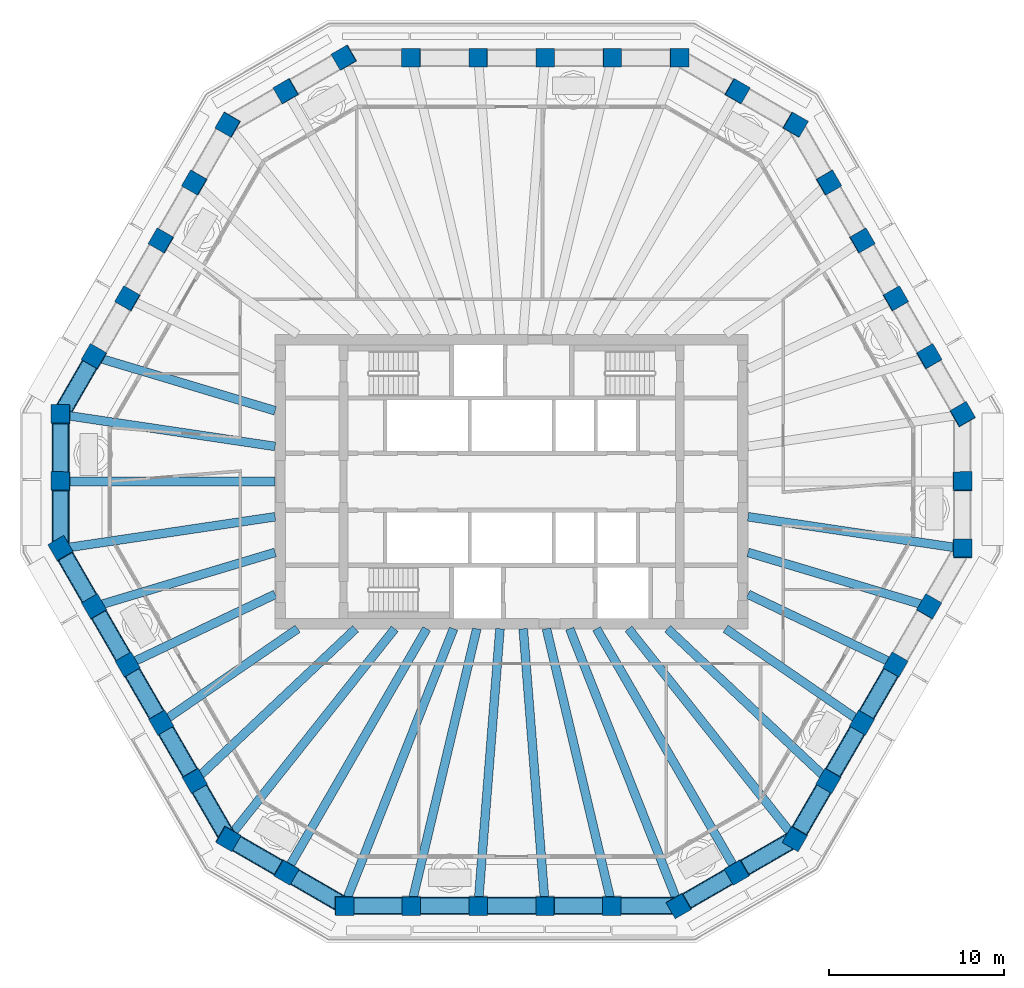
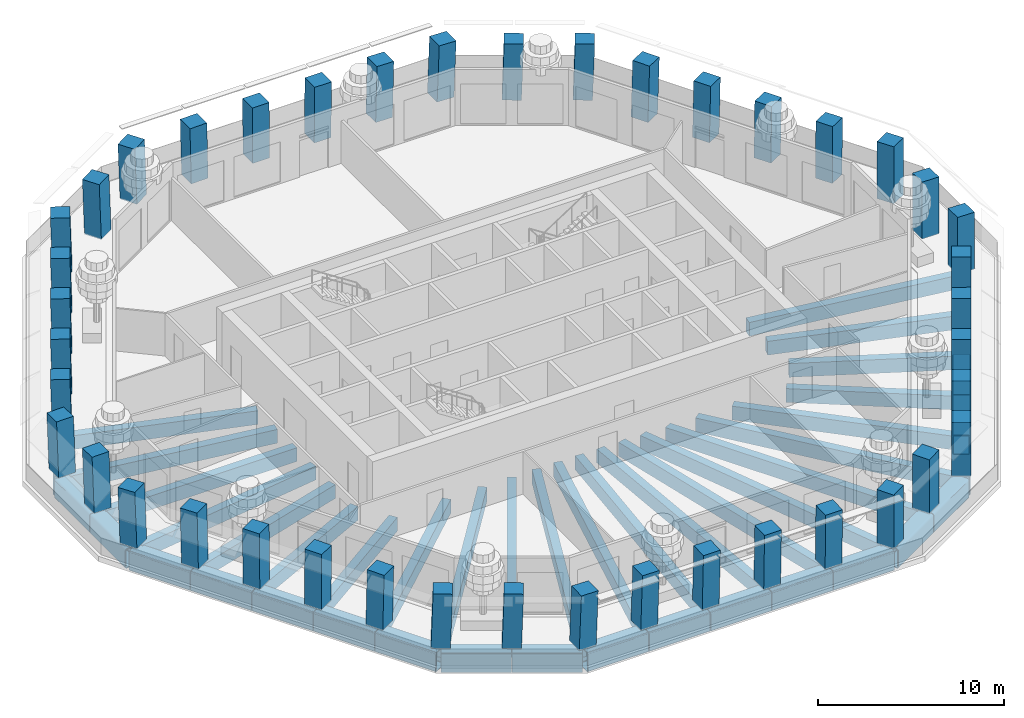
# One storey, part 1 of 12: 43 beams, 42 columns.
"""IFC4 building model written with IfcOpenShell, lengths in metres."""

from ifc_helpers import new_model, si_unit, direction, frame, origin, origin_2d, place, context, subcontext, project, spatial, rectangle, hollow_rectangle, extrude, material, material_profile, profile_set, type_object, element, save


model = new_model("IFC4")

# Units and contexts
model_context = context("Model", 3, precision=1e-05, world=origin(), true_north=direction((0.0, 1.0)))
body_context = subcontext(model_context, "Body", "Model", "MODEL_VIEW")
ifc_project = project(units=[si_unit("LENGTHUNIT", "METRE"), si_unit("AREAUNIT", "SQUARE_METRE"), si_unit("VOLUMEUNIT", "CUBIC_METRE"), si_unit("PLANEANGLEUNIT", "RADIAN"), si_unit("MASSUNIT", "GRAM", prefix="KILO")], contexts=[model_context])

# Site, building, storey
site_placement = place(None, origin())
site = spatial("IfcSite", under=ifc_project, at=site_placement, CompositionType="ELEMENT")
building_placement = place(site_placement, origin())
building = spatial("IfcBuilding", under=site, at=building_placement, Name="Frailejon Research Tower", CompositionType="ELEMENT")
storey_placement = place(building_placement, frame((0.0, 0.0, 211.39990234375)))
storey = spatial("IfcBuildingStorey", under=building, at=storey_placement, Name="L45", CompositionType="ELEMENT", Elevation=211.39990234375)

# Columns
ifc_material_1 = material(Name="Concrete C60/75", Category="concrete")
ifc_material_profile_1 = material_profile(ifc_material_1, rectangle(XDim=1.050048828125, YDim=1.050048828125, at=origin_2d()), Name="Column 1050")
ifc_profile_set_1 = profile_set([ifc_material_profile_1], Name="Concrete C60/75")
column_type = type_object("IfcColumnType", Name="Column 1050", PredefinedType="COLUMN", material=ifc_profile_set_1)
for number, where, z_axis, x_axis, name in (
    (1, (25.734375, -3.82666015625, 0.0), (0.018113955825, 0.03141534774, 0.999342263957), (-0.001297337727, 0.999506151202, -0.031396984318), "Column C01"),
    (2, (25.734375, 0.0, 0.0), (0.018113955825, 0.03141534774, 0.999342263957), (-0.001297337727, 0.999506151202, -0.031396984318), "Column C02"),
    (3, (25.734375, 3.82666015625, 0.0), (0.018113955825, 0.03141534774, 0.999342263957), (-0.501041071009, 0.865233837763, -0.018117702729), "Column C03"),
):
    element("IfcColumn", number, at=place(storey_placement, frame(where, z_axis=z_axis, x_axis=x_axis)), inside=storey, type_object=column_type, Name=name, PredefinedType="COLUMN", context=body_context, shape_type="SweptSolid", body=[
        extrude(rectangle(XDim=1.050048828125, YDim=1.050048828125, at=origin_2d()), origin(), (0.0, 0.0, 1.0), 3.652587890625),
    ])
column_1_placement = place(storey_placement, frame((23.82373046875, 7.135986328125, 0.0), z_axis=(0.021792492936, 0.025134899828, 0.999446508855), x_axis=(-0.499665392548, 0.866150076023, -0.010887667087)))
element("IfcColumn", 4, at=column_1_placement, inside=storey, type_object=column_type, Name="Column C04", PredefinedType="COLUMN", context=body_context, shape_type="SweptSolid", body=[
    extrude(rectangle(XDim=1.050048828125, YDim=1.050048828125, at=origin_2d()), origin(), (0.0, 0.0, 1.0), 3.652099609375),
])
for number, where, z_axis, x_axis, name in (
    (5, (21.9130859375, 10.4453125, 0.0), (0.025403639223, 0.018852174371, 0.999499500068), (-0.49953538034, 0.866285825257, -0.003643178262), "Column C05"),
    (6, (20.00244140625, 13.754638671875, 0.0), (0.029013644583, 0.012568122538, 0.999500000362), (-0.500475825989, 0.865742851961, 0.003641686329), "Column C06"),
):
    element("IfcColumn", number, at=place(storey_placement, frame(where, z_axis=z_axis, x_axis=x_axis)), inside=storey, type_object=column_type, Name=name, PredefinedType="COLUMN", context=body_context, shape_type="SweptSolid", body=[
        extrude(rectangle(XDim=1.050048828125, YDim=1.050048828125, at=origin_2d()), origin(), (0.0, 0.0, 1.0), 3.65185546875),
    ])
column_2_placement = place(storey_placement, frame((18.091796875, 17.06396484375, 0.0), z_axis=(0.032688717128, 0.006283720675, 0.99944582776), x_axis=(-0.499706662091, 0.866126133194, 0.010898314577)))
element("IfcColumn", 7, at=column_2_placement, inside=storey, type_object=column_type, Name="Column C07", PredefinedType="COLUMN", context=body_context, shape_type="SweptSolid", body=[
    extrude(rectangle(XDim=1.050048828125, YDim=1.050048828125, at=origin_2d()), origin(), (0.0, 0.0, 1.0), 3.652099609375),
])
for number, where, z_axis, x_axis, name in (
    (8, (16.18115234375, 20.373291015625, 0.0), (0.036294711627, 0.0, 0.999341129899), (-0.865312619905, 0.500246354177, 0.031426978303), "Column C08"),
    (9, (12.8671875, 22.28662109375, 0.0), (0.036227958345, 0.0, 0.999343552055), (-0.865314717209, 0.500246354177, 0.031369177763), "Column C09"),
    (10, (9.55322265625, 24.199951171875, 0.0), (0.036227958345, 0.0, 0.999343552055), (-0.999343552055, 0.0, 0.036227958345), "Column C10"),
):
    element("IfcColumn", number, at=place(storey_placement, frame(where, z_axis=z_axis, x_axis=x_axis)), inside=storey, type_object=column_type, Name=name, PredefinedType="COLUMN", context=body_context, shape_type="SweptSolid", body=[
        extrude(rectangle(XDim=1.050048828125, YDim=1.050048828125, at=origin_2d()), origin(), (0.0, 0.0, 1.0), 3.652587890625),
    ])
column_3_placement = place(storey_placement, frame((5.73193359375, 24.199951171875, 0.0), z_axis=(0.021732542414, 0.0, 0.99976382041), x_axis=(-0.99976382041, 0.0, 0.021732542414)))
element("IfcColumn", 11, at=column_3_placement, inside=storey, type_object=column_type, Name="Column C11", PredefinedType="COLUMN", context=body_context, shape_type="SweptSolid", body=[
    extrude(rectangle(XDim=1.050048828125, YDim=1.050048828125, at=origin_2d()), origin(), (0.0, 0.0, 1.0), 3.651123046875),
])
for number, where, z_axis, x_axis, name in (
    (12, (1.91064453125, 24.199951171875, 0.0), (0.007290288501, 0.0, 0.999973425494), (-0.999973425494, 0.0, 0.007290288501), "Column C12"),
    (13, (-1.91064453125, 24.199951171875, 0.0), (-0.007290288501, 0.0, 0.999973425494), (-0.999973425494, 0.0, -0.007290288501), "Column C13"),
):
    element("IfcColumn", number, at=place(storey_placement, frame(where, z_axis=z_axis, x_axis=x_axis)), inside=storey, type_object=column_type, Name=name, PredefinedType="COLUMN", context=body_context, shape_type="SweptSolid", body=[
        extrude(rectangle(XDim=1.050048828125, YDim=1.050048828125, at=origin_2d()), origin(), (0.0, 0.0, 1.0), 3.650146484375),
    ])
column_4_placement = place(storey_placement, frame((-5.73193359375, 24.199951171875, 0.0), z_axis=(-0.021732542414, 0.0, 0.99976382041), x_axis=(-0.99976382041, 0.0, -0.021732542414)))
element("IfcColumn", 14, at=column_4_placement, inside=storey, type_object=column_type, Name="Column C14", PredefinedType="COLUMN", context=body_context, shape_type="SweptSolid", body=[
    extrude(rectangle(XDim=1.050048828125, YDim=1.050048828125, at=origin_2d()), origin(), (0.0, 0.0, 1.0), 3.651123046875),
])
for number, where, z_axis, x_axis, name in (
    (15, (-9.55322265625, 24.199951171875, 0.0), (-0.036227958345, 0.0, 0.999343552055), (-0.865314717209, -0.500246354177, -0.031369177763), "Column C15"),
    (16, (-12.8671875, 22.28662109375, 0.0), (-0.036227958345, 0.0, 0.999343552055), (-0.865314717209, -0.500246354177, -0.031369177763), "Column C16"),
    (17, (-16.18115234375, 20.373291015625, 0.0), (-0.036294711627, 0.0, 0.999341129899), (-0.499424332648, -0.866167613071, -0.018138412991), "Column C17"),
):
    element("IfcColumn", number, at=place(storey_placement, frame(where, z_axis=z_axis, x_axis=x_axis)), inside=storey, type_object=column_type, Name=name, PredefinedType="COLUMN", context=body_context, shape_type="SweptSolid", body=[
        extrude(rectangle(XDim=1.050048828125, YDim=1.050048828125, at=origin_2d()), origin(), (0.0, 0.0, 1.0), 3.652587890625),
    ])
column_5_placement = place(storey_placement, frame((-18.091796875, 17.06396484375, 0.0), z_axis=(-0.032688717128, 0.006283720675, 0.99944582776), x_axis=(-0.499706662091, -0.866126133194, -0.010898314577)))
element("IfcColumn", 18, at=column_5_placement, inside=storey, type_object=column_type, Name="Column C18", PredefinedType="COLUMN", context=body_context, shape_type="SweptSolid", body=[
    extrude(rectangle(XDim=1.050048828125, YDim=1.050048828125, at=origin_2d()), origin(), (0.0, 0.0, 1.0), 3.652099609375),
])
for number, where, z_axis, x_axis, name in (
    (19, (-20.00244140625, 13.754638671875, 0.0), (-0.029013644583, 0.012568122538, 0.999500000362), (-0.500475825989, -0.865742851961, -0.003641686329), "Column C19"),
    (20, (-21.9130859375, 10.4453125, 0.0), (-0.025403639223, 0.018852174371, 0.999499500068), (-0.49953538034, -0.866285825257, 0.003643178262), "Column C20"),
):
    element("IfcColumn", number, at=place(storey_placement, frame(where, z_axis=z_axis, x_axis=x_axis)), inside=storey, type_object=column_type, Name=name, PredefinedType="COLUMN", context=body_context, shape_type="SweptSolid", body=[
        extrude(rectangle(XDim=1.050048828125, YDim=1.050048828125, at=origin_2d()), origin(), (0.0, 0.0, 1.0), 3.65185546875),
    ])
column_6_placement = place(storey_placement, frame((-23.82373046875, 7.135986328125, 0.0), z_axis=(-0.021792492936, 0.025134899828, 0.999446508855), x_axis=(-0.499665392548, -0.866150076023, 0.010887667087)))
element("IfcColumn", 21, at=column_6_placement, inside=storey, type_object=column_type, Name="Column C21", PredefinedType="COLUMN", context=body_context, shape_type="SweptSolid", body=[
    extrude(rectangle(XDim=1.050048828125, YDim=1.050048828125, at=origin_2d()), origin(), (0.0, 0.0, 1.0), 3.652099609375),
])
for number, where, z_axis, x_axis, name in (
    (22, (-25.734375, 3.82666015625, 0.0), (-0.018113955825, 0.03141534774, 0.999342263957), (-0.001297337727, -0.999506151202, 0.031396984318), "Column C22"),
    (23, (-25.734375, 0.0, 0.0), (-0.018113955825, 0.03141534774, 0.999342263957), (-0.001297337727, -0.999506151202, 0.031396984318), "Column C23"),
    (24, (-25.734375, -3.82666015625, 0.0), (-0.018113955825, 0.03141534774, 0.999342263957), (0.499040514287, -0.865819568771, 0.036263472456), "Column C24"),
):
    element("IfcColumn", number, at=place(storey_placement, frame(where, z_axis=z_axis, x_axis=x_axis)), inside=storey, type_object=column_type, Name=name, PredefinedType="COLUMN", context=body_context, shape_type="SweptSolid", body=[
        extrude(rectangle(XDim=1.050048828125, YDim=1.050048828125, at=origin_2d()), origin(), (0.0, 0.0, 1.0), 3.652587890625),
    ])
column_7_placement = place(storey_placement, frame((-23.82373046875, -7.135986328125, 0.0), z_axis=(-0.010899694483, 0.018857140148, 0.999762774325), x_axis=(0.500590334681, -0.865410262129, 0.021780611228)))
element("IfcColumn", 25, at=column_7_placement, inside=storey, type_object=column_type, Name="Column C25", PredefinedType="COLUMN", context=body_context, shape_type="SweptSolid", body=[
    extrude(rectangle(XDim=1.050048828125, YDim=1.050048828125, at=origin_2d()), origin(), (0.0, 0.0, 1.0), 3.651123046875),
])
for number, where, z_axis, x_axis, name in (
    (26, (-21.9130859375, -10.4453125, 0.0), (-0.003611703602, 0.006287039604, 0.99997371402), (0.497890396548, -0.867209652713, 0.007250604559), "Column C26"),
    (27, (-20.00244140625, -13.754638671875, 0.0), (0.003611703602, -0.006287039604, 0.99997371402), (0.497890396548, -0.867209652713, -0.007250604559), "Column C27"),
):
    element("IfcColumn", number, at=place(storey_placement, frame(where, z_axis=z_axis, x_axis=x_axis)), inside=storey, type_object=column_type, Name=name, PredefinedType="COLUMN", context=body_context, shape_type="SweptSolid", body=[
        extrude(rectangle(XDim=1.050048828125, YDim=1.050048828125, at=origin_2d()), origin(), (0.0, 0.0, 1.0), 3.650146484375),
    ])
column_8_placement = place(storey_placement, frame((-18.091796875, -17.06396484375, 0.0), z_axis=(0.010899694483, -0.018857140148, 0.999762774325), x_axis=(0.499728940012, -0.865907957958, -0.021780607409)))
element("IfcColumn", 28, at=column_8_placement, inside=storey, type_object=column_type, Name="Column C28", PredefinedType="COLUMN", context=body_context, shape_type="SweptSolid", body=[
    extrude(rectangle(XDim=1.050048828125, YDim=1.050048828125, at=origin_2d()), origin(), (0.0, 0.0, 1.0), 3.651123046875),
])
for number, where, z_axis, x_axis, name in (
    (29, (-16.18115234375, -20.373291015625, 0.0), (0.018113955825, -0.03141534774, 0.999342263957), (0.865818354489, -0.499372725209, -0.031392010897), "Column C29"),
    (30, (-12.8671875, -22.28662109375, 0.0), (0.018113955825, -0.03141534774, 0.999342263957), (0.86551973078, -0.499889444942, -0.031402841694), "Column C30"),
    (31, (-9.55322265625, -24.199951171875, 0.0), (0.018113955825, -0.03141534774, 0.999342263957), (0.999835664746, -0.000157319932, -0.01812784466), "Column C31"),
):
    element("IfcColumn", number, at=place(storey_placement, frame(where, z_axis=z_axis, x_axis=x_axis)), inside=storey, type_object=column_type, Name=name, PredefinedType="COLUMN", context=body_context, shape_type="SweptSolid", body=[
        extrude(rectangle(XDim=1.050048828125, YDim=1.050048828125, at=origin_2d()), origin(), (0.0, 0.0, 1.0), 3.652587890625),
    ])
column_9_placement = place(storey_placement, frame((-5.73193359375, -24.199951171875, 0.0), z_axis=(0.010896250923, -0.031418637632, 0.999446917512), x_axis=(0.999940412198, 0.001008235725, -0.010869936218)))
element("IfcColumn", 32, at=column_9_placement, inside=storey, type_object=column_type, Name="Column C32", PredefinedType="COLUMN", context=body_context, shape_type="SweptSolid", body=[
    extrude(rectangle(XDim=1.050048828125, YDim=1.050048828125, at=origin_2d()), origin(), (0.0, 0.0, 1.0), 3.652099609375),
])
for number, where, z_axis, x_axis, name in (
    (33, (-1.91064453125, -24.199951171875, 0.0), (0.003609991708, -0.031420298201, 0.999499741281), (0.999993380446, -0.000341349484, -0.003622505304), "Column C33"),
    (34, (1.91064453125, -24.199951171875, 0.0), (-0.003609991708, -0.031420298201, 0.999499741281), (0.999993380446, 0.000341349484, 0.003622505304), "Column C34"),
):
    element("IfcColumn", number, at=place(storey_placement, frame(where, z_axis=z_axis, x_axis=x_axis)), inside=storey, type_object=column_type, Name=name, PredefinedType="COLUMN", context=body_context, shape_type="SweptSolid", body=[
        extrude(rectangle(XDim=1.050048828125, YDim=1.050048828125, at=origin_2d()), origin(), (0.0, 0.0, 1.0), 3.65185546875),
    ])
column_10_placement = place(storey_placement, frame((5.73193359375, -24.199951171875, 0.0), z_axis=(-0.010896250923, -0.031418637632, 0.999446917512), x_axis=(0.999940412198, -0.001008235725, 0.010869936218)))
element("IfcColumn", 35, at=column_10_placement, inside=storey, type_object=column_type, Name="Column C35", PredefinedType="COLUMN", context=body_context, shape_type="SweptSolid", body=[
    extrude(rectangle(XDim=1.050048828125, YDim=1.050048828125, at=origin_2d()), origin(), (0.0, 0.0, 1.0), 3.652099609375),
])
for number, where, z_axis, x_axis, name in (
    (36, (9.55322265625, -24.199951171875, 0.0), (-0.018113955825, -0.03141534774, 0.999342263957), (0.86551973078, 0.499889444942, 0.031402841694), "Column C36"),
    (37, (12.8671875, -22.28662109375, 0.0), (-0.018113955825, -0.03141534774, 0.999342263957), (0.86551973078, 0.499889444942, 0.031402841694), "Column C37"),
    (38, (16.18115234375, -20.373291015625, 0.0), (-0.018113955825, -0.03141534774, 0.999342263957), (0.499559087007, 0.865520467331, 0.036263469482), "Column C38"),
):
    element("IfcColumn", number, at=place(storey_placement, frame(where, z_axis=z_axis, x_axis=x_axis)), inside=storey, type_object=column_type, Name=name, PredefinedType="COLUMN", context=body_context, shape_type="SweptSolid", body=[
        extrude(rectangle(XDim=1.050048828125, YDim=1.050048828125, at=origin_2d()), origin(), (0.0, 0.0, 1.0), 3.652587890625),
    ])
column_11_placement = place(storey_placement, frame((18.091796875, -17.06396484375, 0.0), z_axis=(-0.010899694483, -0.018857140148, 0.999762774325), x_axis=(0.499728940012, 0.865907957958, 0.021780607409)))
element("IfcColumn", 39, at=column_11_placement, inside=storey, type_object=column_type, Name="Column C39", PredefinedType="COLUMN", context=body_context, shape_type="SweptSolid", body=[
    extrude(rectangle(XDim=1.050048828125, YDim=1.050048828125, at=origin_2d()), origin(), (0.0, 0.0, 1.0), 3.651123046875),
])
for number, where, z_axis, x_axis, name in (
    (40, (20.00244140625, -13.754638671875, 0.0), (-0.003611703602, -0.006287039604, 0.99997371402), (0.497890396548, 0.867209652713, 0.007250604559), "Column C40"),
    (41, (21.9130859375, -10.4453125, 0.0), (0.003611703602, 0.006287039604, 0.99997371402), (0.497890396548, 0.867209652713, -0.007250604559), "Column C41"),
):
    element("IfcColumn", number, at=place(storey_placement, frame(where, z_axis=z_axis, x_axis=x_axis)), inside=storey, type_object=column_type, Name=name, PredefinedType="COLUMN", context=body_context, shape_type="SweptSolid", body=[
        extrude(rectangle(XDim=1.050048828125, YDim=1.050048828125, at=origin_2d()), origin(), (0.0, 0.0, 1.0), 3.650146484375),
    ])
column_12_placement = place(storey_placement, frame((23.82373046875, -7.135986328125, 0.0), z_axis=(0.010899694483, 0.018857140148, 0.999762774325), x_axis=(0.500590334681, 0.865410262129, -0.021780611228)))
element("IfcColumn", 42, at=column_12_placement, inside=storey, type_object=column_type, Name="Column C42", PredefinedType="COLUMN", context=body_context, shape_type="SweptSolid", body=[
    extrude(rectangle(XDim=1.050048828125, YDim=1.050048828125, at=origin_2d()), origin(), (0.0, 0.0, 1.0), 3.651123046875),
])

# Beams
ifc_material_2 = material(Name="Steel S355", Category="steel")
ifc_material_profile_2 = material_profile(ifc_material_2, hollow_rectangle(XDim=1.0, YDim=1.300048828125, WallThickness=0.06005859375, InnerFilletRadius=0.06005859375, OuterFilletRadius=0.1201171875, at=origin_2d()), Name="Belt chord")
ifc_profile_set_2 = profile_set([ifc_material_profile_2], Name="Steel S355")
beam_type_1 = type_object("IfcBeamType", Name="Belt chord", PredefinedType="BEAM", material=ifc_profile_set_2)
beam_1_placement = place(storey_placement, frame((-23.833740234375, 7.11865234375, -1.0), z_axis=(-0.500000040646, -0.866025380318, 0.0), x_axis=(0.866025380318, -0.500000040646, 0.0)))
element("IfcBeam", 43, at=beam_1_placement, inside=storey, type_object=beam_type_1, Name="Belt chord", PredefinedType="BEAM", context=body_context, shape_type="SweptSolid", body=[
    extrude(hollow_rectangle(XDim=1.0, YDim=1.300048828125, WallThickness=0.06005859375, InnerFilletRadius=0.06005859375, OuterFilletRadius=0.1201171875, at=origin_2d()), origin(), (0.0, 0.0, 1.0), 3.78125),
])
for number, where, z_axis, x_axis, name in (
    (44, (-25.734375, 3.806640625, -1.0), (0.0, -1.0, 0.0), (1.0, 0.0, 0.0), "Belt chord"),
    (45, (-25.734375, -0.02001953125, -1.0), (0.0, -1.0, 0.0), (1.0, 0.0, 0.0), "Belt chord"),
):
    element("IfcBeam", number, at=place(storey_placement, frame(where, z_axis=z_axis, x_axis=x_axis)), inside=storey, type_object=beam_type_1, Name=name, PredefinedType="BEAM", context=body_context, shape_type="SweptSolid", body=[
        extrude(hollow_rectangle(XDim=1.0, YDim=1.300048828125, WallThickness=0.06005859375, InnerFilletRadius=0.06005859375, OuterFilletRadius=0.1201171875, at=origin_2d()), origin(), (0.0, 0.0, 1.0), 3.78662109375),
    ])
for number, where, z_axis, x_axis, name in (
    (46, (-25.724365234375, -3.843994140625, -1.0), (0.500000040646, -0.866025380318, 0.0), (0.866025380318, 0.500000040646, 0.0), "Belt chord"),
    (47, (-23.813720703125, -7.1533203125, -1.0), (0.500000040646, -0.866025380318, 0.0), (0.866025380318, 0.500000040646, 0.0), "Belt chord"),
    (48, (-21.903076171875, -10.462646484375, -1.0), (0.500000040646, -0.866025380318, 0.0), (0.866025380318, 0.500000040646, 0.0), "Belt chord"),
    (49, (-19.992431640625, -13.77197265625, -1.0), (0.500000040646, -0.866025380318, 0.0), (0.866025380318, 0.500000040646, 0.0), "Belt chord"),
    (50, (-18.081787109375, -17.081298828125, -1.0), (0.500000040646, -0.866025380318, 0.0), (0.866025380318, 0.500000040646, 0.0), "Belt chord"),
):
    element("IfcBeam", number, at=place(storey_placement, frame(where, z_axis=z_axis, x_axis=x_axis)), inside=storey, type_object=beam_type_1, Name=name, PredefinedType="BEAM", context=body_context, shape_type="SweptSolid", body=[
        extrude(hollow_rectangle(XDim=1.0, YDim=1.300048828125, WallThickness=0.06005859375, InnerFilletRadius=0.06005859375, OuterFilletRadius=0.1201171875, at=origin_2d()), origin(), (0.0, 0.0, 1.0), 3.78125),
    ])
for number, where, z_axis, x_axis, name in (
    (51, (-16.163818359375, -20.38330078125, -1.0), (0.86602453317, -0.500001507946, 0.0), (0.500001507946, 0.86602453317, 0.0), "Belt chord"),
    (52, (-12.849853515625, -22.296630859375, -1.0), (0.86602453317, -0.500001507946, 0.0), (0.500001507946, 0.86602453317, 0.0), "Belt chord"),
):
    element("IfcBeam", number, at=place(storey_placement, frame(where, z_axis=z_axis, x_axis=x_axis)), inside=storey, type_object=beam_type_1, Name=name, PredefinedType="BEAM", context=body_context, shape_type="SweptSolid", body=[
        extrude(hollow_rectangle(XDim=1.0, YDim=1.300048828125, WallThickness=0.06005859375, InnerFilletRadius=0.06005859375, OuterFilletRadius=0.1201171875, at=origin_2d()), origin(), (0.0, 0.0, 1.0), 3.78662109375),
    ])
for number, where, z_axis, x_axis, name in (
    (53, (-9.533203125, -24.199951171875, -1.0), (1.0, 0.0, 0.0), (0.0, 1.0, 0.0), "Belt chord"),
    (54, (-5.7119140625, -24.199951171875, -1.0), (1.0, 0.0, 0.0), (0.0, 1.0, 0.0), "Belt chord"),
    (55, (-1.890625, -24.199951171875, -1.0), (1.0, 0.0, 0.0), (0.0, 1.0, 0.0), "Belt chord"),
    (56, (1.9306640625, -24.199951171875, -1.0), (1.0, 0.0, 0.0), (0.0, 1.0, 0.0), "Belt chord"),
    (57, (5.751953125, -24.199951171875, -1.0), (1.0, 0.0, 0.0), (0.0, 1.0, 0.0), "Belt chord"),
):
    element("IfcBeam", number, at=place(storey_placement, frame(where, z_axis=z_axis, x_axis=x_axis)), inside=storey, type_object=beam_type_1, Name=name, PredefinedType="BEAM", context=body_context, shape_type="SweptSolid", body=[
        extrude(hollow_rectangle(XDim=1.0, YDim=1.300048828125, WallThickness=0.06005859375, InnerFilletRadius=0.06005859375, OuterFilletRadius=0.1201171875, at=origin_2d()), origin(), (0.0, 0.0, 1.0), 3.78125),
    ])
for number, where, z_axis, x_axis, name in (
    (58, (9.570556640625, -24.18994140625, -1.0), (0.86602453317, 0.500001507946, 0.0), (-0.500001507946, 0.86602453317, 0.0), "Belt chord"),
    (59, (12.884521484375, -22.276611328125, -1.0), (0.86602453317, 0.500001507946, 0.0), (-0.500001507946, 0.86602453317, 0.0), "Belt chord"),
):
    element("IfcBeam", number, at=place(storey_placement, frame(where, z_axis=z_axis, x_axis=x_axis)), inside=storey, type_object=beam_type_1, Name=name, PredefinedType="BEAM", context=body_context, shape_type="SweptSolid", body=[
        extrude(hollow_rectangle(XDim=1.0, YDim=1.300048828125, WallThickness=0.06005859375, InnerFilletRadius=0.06005859375, OuterFilletRadius=0.1201171875, at=origin_2d()), origin(), (0.0, 0.0, 1.0), 3.78662109375),
    ])
for number, where, z_axis, x_axis, name in (
    (60, (16.191162109375, -20.35595703125, -1.0), (0.500000040646, 0.866025380318, 0.0), (-0.866025380318, 0.500000040646, 0.0), "Belt chord"),
    (61, (18.101806640625, -17.046630859375, -1.0), (0.500000040646, 0.866025380318, 0.0), (-0.866025380318, 0.500000040646, 0.0), "Belt chord"),
    (62, (20.012451171875, -13.7373046875, -1.0), (0.500000040646, 0.866025380318, 0.0), (-0.866025380318, 0.500000040646, 0.0), "Belt chord"),
):
    element("IfcBeam", number, at=place(storey_placement, frame(where, z_axis=z_axis, x_axis=x_axis)), inside=storey, type_object=beam_type_1, Name=name, PredefinedType="BEAM", context=body_context, shape_type="SweptSolid", body=[
        extrude(hollow_rectangle(XDim=1.0, YDim=1.300048828125, WallThickness=0.06005859375, InnerFilletRadius=0.06005859375, OuterFilletRadius=0.1201171875, at=origin_2d()), origin(), (0.0, 0.0, 1.0), 3.78125),
    ])
ifc_material_3 = material(Name="Concrete C60/75", Category="concrete")
ifc_material_profile_3 = material_profile(ifc_material_3, rectangle(XDim=0.5, YDim=0.89990234375, at=origin_2d()), Name="Girder 500x900")
ifc_profile_set_3 = profile_set([ifc_material_profile_3], Name="Concrete C60/75")
beam_type_2 = type_object("IfcBeamType", Name="Girder 500x900", PredefinedType="BEAM", material=ifc_profile_set_3)
beam_2_placement = place(storey_placement, frame((25.35791015625, -3.770751953125, -0.75), z_axis=(-0.989122289013, 0.147095538265, 0.0), x_axis=(-0.147095538265, -0.989122289013, 0.0)))
element("IfcBeam", 63, at=beam_2_placement, inside=storey, type_object=beam_type_2, Name="Girder 500x900", PredefinedType="BEAM", context=body_context, shape_type="SweptSolid", body=[
    extrude(rectangle(XDim=0.5, YDim=0.89990234375, at=origin_2d()), origin(), (0.0, 0.0, 1.0), 11.98828125),
])
beam_3_placement = place(storey_placement, frame((-23.45068359375, 7.024169921875, -0.75), z_axis=(0.957951689107, -0.286929540719, 0.0), x_axis=(0.286929540719, 0.957951689107, 0.0)))
element("IfcBeam", 64, at=beam_3_placement, inside=storey, type_object=beam_type_2, Name="Girder 500x900", PredefinedType="BEAM", context=body_context, shape_type="SweptSolid", body=[
    extrude(rectangle(XDim=0.5, YDim=0.89990234375, at=origin_2d()), origin(), (0.0, 0.0, 1.0), 10.387451171875),
])
beam_4_placement = place(storey_placement, frame((-25.35791015625, 3.770751953125, -0.75), z_axis=(0.989122289013, -0.147095538265, 0.0), x_axis=(0.147095538265, 0.989122289013, 0.0)))
element("IfcBeam", 65, at=beam_4_placement, inside=storey, type_object=beam_type_2, Name="Girder 500x900", PredefinedType="BEAM", context=body_context, shape_type="SweptSolid", body=[
    extrude(rectangle(XDim=0.5, YDim=0.89990234375, at=origin_2d()), origin(), (0.0, 0.0, 1.0), 11.98828125),
])
beam_5_placement = place(storey_placement, frame((-25.359375, 0.0, -0.75), z_axis=(1.0, 0.0, 0.0), x_axis=(0.0, 1.0, 0.0)))
element("IfcBeam", 66, at=beam_5_placement, inside=storey, type_object=beam_type_2, Name="Girder 500x900", PredefinedType="BEAM", context=body_context, shape_type="SweptSolid", body=[
    extrude(rectangle(XDim=0.5, YDim=0.89990234375, at=origin_2d()), origin(), (0.0, 0.0, 1.0), 11.859375),
])
beam_6_placement = place(storey_placement, frame((-25.324462890625, -3.765625, -0.75), z_axis=(0.989124149888, 0.147083024539, 0.0), x_axis=(-0.147083024539, 0.989124149888, 0.0)))
element("IfcBeam", 67, at=beam_6_placement, inside=storey, type_object=beam_type_2, Name="Girder 500x900", PredefinedType="BEAM", context=body_context, shape_type="SweptSolid", body=[
    extrude(rectangle(XDim=0.5, YDim=0.89990234375, at=origin_2d()), origin(), (0.0, 0.0, 1.0), 11.95458984375),
])
beam_7_placement = place(storey_placement, frame((-23.45068359375, -7.024169921875, -0.75), z_axis=(0.957951689107, 0.286929540719, 0.0), x_axis=(-0.286929540719, 0.957951689107, 0.0)))
element("IfcBeam", 68, at=beam_7_placement, inside=storey, type_object=beam_type_2, Name="Girder 500x900", PredefinedType="BEAM", context=body_context, shape_type="SweptSolid", body=[
    extrude(rectangle(XDim=0.5, YDim=0.89990234375, at=origin_2d()), origin(), (0.0, 0.0, 1.0), 10.387451171875),
])
beam_8_placement = place(storey_placement, frame((-21.572998046875, -10.283203125, -0.75), z_axis=(0.902692922799, 0.430285355465, 0.0), x_axis=(-0.430285355465, 0.902692922799, 0.0)))
element("IfcBeam", 69, at=beam_8_placement, inside=storey, type_object=beam_type_2, Name="Girder 500x900", PredefinedType="BEAM", context=body_context, shape_type="SweptSolid", body=[
    extrude(rectangle(XDim=0.5, YDim=0.89990234375, at=origin_2d()), origin(), (0.0, 0.0, 1.0), 8.943359375),
])
beam_9_placement = place(storey_placement, frame((-19.692138671875, -13.541259765625, -0.75), z_axis=(0.823979113935, 0.566620172425, 0.0), x_axis=(-0.566620172425, 0.823979113935, 0.0)))
element("IfcBeam", 70, at=beam_9_placement, inside=storey, type_object=beam_type_2, Name="Girder 500x900", PredefinedType="BEAM", context=body_context, shape_type="SweptSolid", body=[
    extrude(rectangle(XDim=0.5, YDim=0.89990234375, at=origin_2d()), origin(), (0.0, 0.0, 1.0), 9.07373046875),
])
beam_10_placement = place(storey_placement, frame((-17.80859375, -16.796630859375, -0.75), z_axis=(0.727472748297, 0.68613657568, 0.0), x_axis=(-0.68613657568, 0.727472748297, 0.0)))
element("IfcBeam", 71, at=beam_10_placement, inside=storey, type_object=beam_type_2, Name="Girder 500x900", PredefinedType="BEAM", context=body_context, shape_type="SweptSolid", body=[
    extrude(rectangle(XDim=0.5, YDim=0.89990234375, at=origin_2d()), origin(), (0.0, 0.0, 1.0), 12.23779296875),
])
beam_11_placement = place(storey_placement, frame((-15.9443359375, -20.0751953125, -0.75), z_axis=(0.621929399044, 0.783073318793, 0.0), x_axis=(-0.783073318793, 0.621929399044, 0.0)))
element("IfcBeam", 72, at=beam_11_placement, inside=storey, type_object=beam_type_2, Name="Girder 500x900", PredefinedType="BEAM", context=body_context, shape_type="SweptSolid", body=[
    extrude(rectangle(XDim=0.5, YDim=0.89990234375, at=origin_2d()), origin(), (0.0, 0.0, 1.0), 14.90966796875),
])
beam_12_placement = place(storey_placement, frame((-12.6796875, -21.9619140625, -0.75), z_axis=(0.499990558751, 0.866030854623, 0.0), x_axis=(-0.866030854623, 0.499990558751, 0.0)))
element("IfcBeam", 73, at=beam_12_placement, inside=storey, type_object=beam_type_2, Name="Girder 500x900", PredefinedType="BEAM", context=body_context, shape_type="SweptSolid", body=[
    extrude(rectangle(XDim=0.5, YDim=0.89990234375, at=origin_2d()), origin(), (0.0, 0.0, 1.0), 15.659912109375),
])
beam_13_placement = place(storey_placement, frame((-9.40087890625, -23.814453125, -0.75), z_axis=(0.367180622344, 0.93014966031, 0.0), x_axis=(-0.93014966031, 0.367180622344, 0.0)))
element("IfcBeam", 74, at=beam_13_placement, inside=storey, type_object=beam_type_2, Name="Girder 500x900", PredefinedType="BEAM", context=body_context, shape_type="SweptSolid", body=[
    extrude(rectangle(XDim=0.5, YDim=0.89990234375, at=origin_2d()), origin(), (0.0, 0.0, 1.0), 16.572021484375),
])
beam_14_placement = place(storey_placement, frame((-5.64208984375, -23.821044921875, -0.75), z_axis=(0.230479051582, 0.973077287158, 0.0), x_axis=(-0.973077287158, 0.230479051582, 0.0)))
element("IfcBeam", 75, at=beam_14_placement, inside=storey, type_object=beam_type_2, Name="Girder 500x900", PredefinedType="BEAM", context=body_context, shape_type="SweptSolid", body=[
    extrude(rectangle(XDim=0.5, YDim=0.89990234375, at=origin_2d()), origin(), (0.0, 0.0, 1.0), 15.847900390625),
])
for number, where, z_axis, x_axis, name in (
    (76, (-1.881103515625, -23.824462890625, -0.75), (0.078721055235, 0.996896682441, 0.0), (-0.996896682441, 0.078721055235, 0.0), "Girder 500x900"),
    (77, (1.881103515625, -23.824462890625, -0.75), (-0.078721055235, 0.996896682441, 0.0), (-0.996896682441, -0.078721055235, 0.0), "Girder 500x900"),
):
    element("IfcBeam", number, at=place(storey_placement, frame(where, z_axis=z_axis, x_axis=x_axis)), inside=storey, type_object=beam_type_2, Name=name, PredefinedType="BEAM", context=body_context, shape_type="SweptSolid", body=[
        extrude(rectangle(XDim=0.5, YDim=0.89990234375, at=origin_2d()), origin(), (0.0, 0.0, 1.0), 15.47265625),
    ])
beam_15_placement = place(storey_placement, frame((5.64208984375, -23.821044921875, -0.75), z_axis=(-0.230479051582, 0.973077287158, 0.0), x_axis=(-0.973077287158, -0.230479051582, 0.0)))
element("IfcBeam", 78, at=beam_15_placement, inside=storey, type_object=beam_type_2, Name="Girder 500x900", PredefinedType="BEAM", context=body_context, shape_type="SweptSolid", body=[
    extrude(rectangle(XDim=0.5, YDim=0.89990234375, at=origin_2d()), origin(), (0.0, 0.0, 1.0), 15.847900390625),
])
beam_16_placement = place(storey_placement, frame((9.413330078125, -23.845703125, -0.75), z_axis=(-0.367186619097, 0.930147293044, 0.0), x_axis=(-0.930147293044, -0.367186619097, 0.0)))
element("IfcBeam", 79, at=beam_16_placement, inside=storey, type_object=beam_type_2, Name="Girder 500x900", PredefinedType="BEAM", context=body_context, shape_type="SweptSolid", body=[
    extrude(rectangle(XDim=0.5, YDim=0.89990234375, at=origin_2d()), origin(), (0.0, 0.0, 1.0), 16.605712890625),
])
beam_17_placement = place(storey_placement, frame((12.6796875, -21.9619140625, -0.75), z_axis=(-0.499990558751, 0.866030854623, 0.0), x_axis=(-0.866030854623, -0.499990558751, 0.0)))
element("IfcBeam", 80, at=beam_17_placement, inside=storey, type_object=beam_type_2, Name="Girder 500x900", PredefinedType="BEAM", context=body_context, shape_type="SweptSolid", body=[
    extrude(rectangle(XDim=0.5, YDim=0.89990234375, at=origin_2d()), origin(), (0.0, 0.0, 1.0), 15.659912109375),
])
beam_18_placement = place(storey_placement, frame((15.923583984375, -20.048828125, -0.75), z_axis=(-0.621937201743, 0.7830671217, 0.0), x_axis=(-0.7830671217, -0.621937201743, 0.0)))
element("IfcBeam", 81, at=beam_18_placement, inside=storey, type_object=beam_type_2, Name="Girder 500x900", PredefinedType="BEAM", context=body_context, shape_type="SweptSolid", body=[
    extrude(rectangle(XDim=0.5, YDim=0.89990234375, at=origin_2d()), origin(), (0.0, 0.0, 1.0), 14.8759765625),
])
beam_19_placement = place(storey_placement, frame((17.80859375, -16.796630859375, -0.75), z_axis=(-0.727472748297, 0.68613657568, 0.0), x_axis=(-0.68613657568, -0.727472748297, 0.0)))
element("IfcBeam", 82, at=beam_19_placement, inside=storey, type_object=beam_type_2, Name="Girder 500x900", PredefinedType="BEAM", context=body_context, shape_type="SweptSolid", body=[
    extrude(rectangle(XDim=0.5, YDim=0.89990234375, at=origin_2d()), origin(), (0.0, 0.0, 1.0), 12.23779296875),
])
beam_20_placement = place(storey_placement, frame((19.692138671875, -13.541259765625, -0.75), z_axis=(-0.823979113935, 0.566620172425, 0.0), x_axis=(-0.566620172425, -0.823979113935, 0.0)))
element("IfcBeam", 83, at=beam_20_placement, inside=storey, type_object=beam_type_2, Name="Girder 500x900", PredefinedType="BEAM", context=body_context, shape_type="SweptSolid", body=[
    extrude(rectangle(XDim=0.5, YDim=0.89990234375, at=origin_2d()), origin(), (0.0, 0.0, 1.0), 9.07373046875),
])
beam_21_placement = place(storey_placement, frame((21.572998046875, -10.283203125, -0.75), z_axis=(-0.902692922799, 0.430285355465, 0.0), x_axis=(-0.430285355465, -0.902692922799, 0.0)))
element("IfcBeam", 84, at=beam_21_placement, inside=storey, type_object=beam_type_2, Name="Girder 500x900", PredefinedType="BEAM", context=body_context, shape_type="SweptSolid", body=[
    extrude(rectangle(XDim=0.5, YDim=0.89990234375, at=origin_2d()), origin(), (0.0, 0.0, 1.0), 8.943359375),
])
beam_22_placement = place(storey_placement, frame((23.45068359375, -7.024169921875, -0.75), z_axis=(-0.957951689107, 0.286929540719, 0.0), x_axis=(-0.286929540719, -0.957951689107, 0.0)))
element("IfcBeam", 85, at=beam_22_placement, inside=storey, type_object=beam_type_2, Name="Girder 500x900", PredefinedType="BEAM", context=body_context, shape_type="SweptSolid", body=[
    extrude(rectangle(XDim=0.5, YDim=0.89990234375, at=origin_2d()), origin(), (0.0, 0.0, 1.0), 10.387451171875),
])

save(model, "model.ifc")
